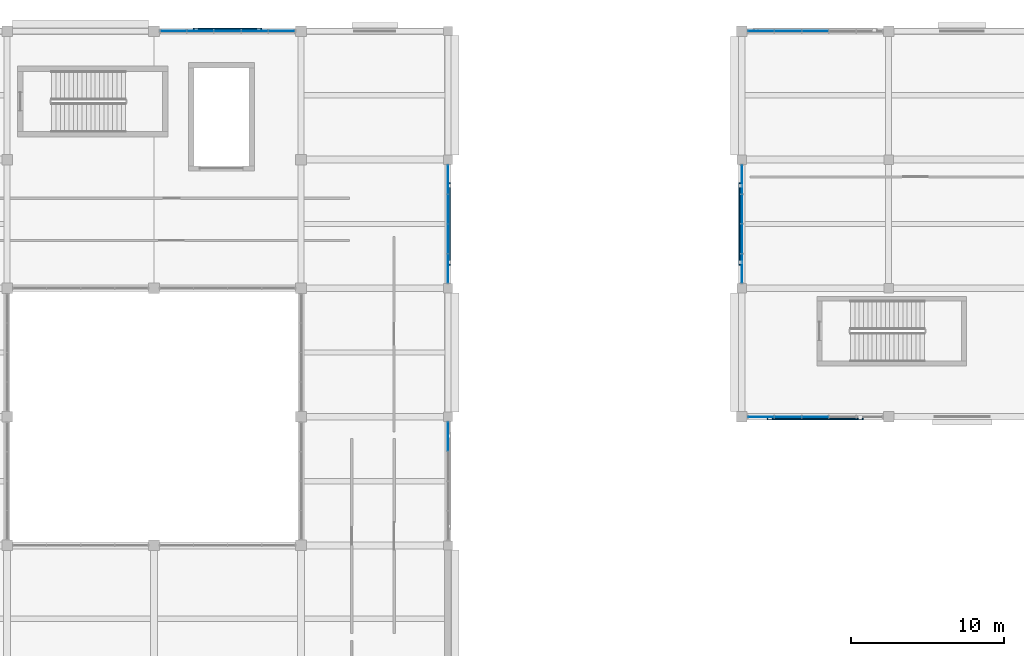
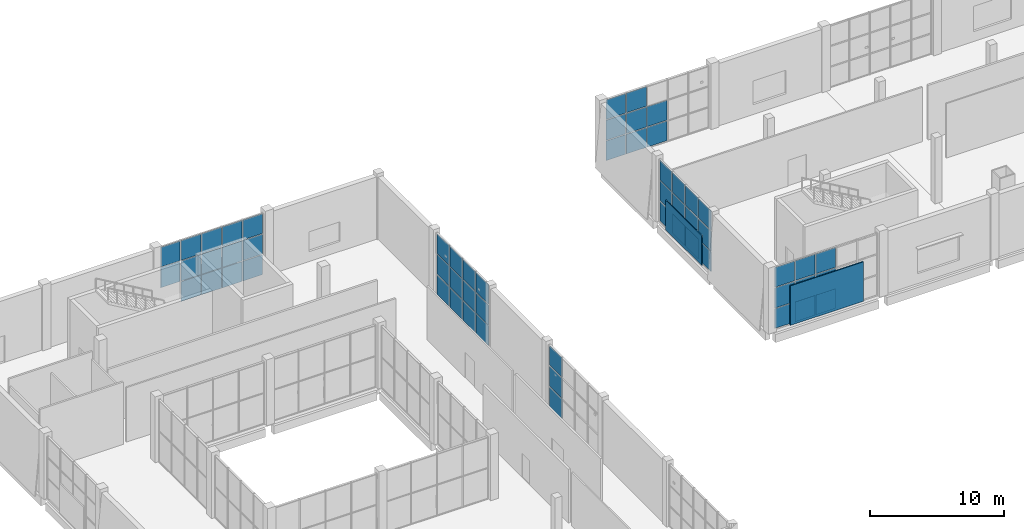
# One storey, part 48 of 84: 62 plates, 6 elements without a shape of their own.
"""IFC4 building model written with IfcOpenShell, lengths in metres."""

from ifc_helpers import new_model, si_unit, direction, frame, origin, origin_2d, place, context, subcontext, project, spatial, rectangle, extrude, material, layer, layer_set, type_object, element, aggregate, save


model = new_model("IFC4")

# Units and contexts
model_context = context("Model", 3, precision=1e-05, world=origin(), true_north=direction((0.0, 1.0)))
body_context = subcontext(model_context, "Body", "Model", "MODEL_VIEW")
ifc_project = project(units=[si_unit("LENGTHUNIT", "METRE"), si_unit("AREAUNIT", "SQUARE_METRE"), si_unit("VOLUMEUNIT", "CUBIC_METRE"), si_unit("PLANEANGLEUNIT", "RADIAN"), si_unit("MASSUNIT", "GRAM", prefix="KILO")], contexts=[model_context])

# Site, building, storey
site_placement = place(None, origin())
site = spatial("IfcSite", under=ifc_project, at=site_placement, CompositionType="ELEMENT")
building_placement = place(site_placement, origin())
building = spatial("IfcBuilding", under=site, at=building_placement, Name="Shalvenor Court Art Gallery", CompositionType="ELEMENT")
storey_placement = place(building_placement, origin())
storey = spatial("IfcBuildingStorey", under=building, at=storey_placement, Name="L00", CompositionType="ELEMENT", Elevation=0.0)

# Curtain wall, plates
ifc_material_1 = material(Name="Anodised aluminium and low-iron glass curtain wall", Category="aluminium")
curtain_wall_type_1 = type_object("IfcCurtainWallType", Name="CW-5x3-89-57-411", PredefinedType="USERDEFINED", material=ifc_material_1)
curtain_wall_1_placement = place(storey_placement, origin())
curtain_wall_1 = element("IfcCurtainWall", 1, at=curtain_wall_1_placement, inside=storey, type_object=curtain_wall_type_1, Name="L00 V5 Curtain Wall CW-L00-150", ObjectType="CURTAIN WALL", PredefinedType="USERDEFINED")
ifc_material_2 = material(Name="Low-iron UV-laminated double glazing IGU", Category="glass")
ifc_layer_1 = layer(ifc_material_2, 0.028076171875, Name="Low-iron UV-laminated double glazing IGU")
ifc_layer_set_1 = layer_set([ifc_layer_1], Name="Low-iron UV-laminated double glazing IGU")
plate_type_1 = type_object("IfcPlateType", Name="CWP-01", PredefinedType="CURTAIN_PANEL", material=ifc_layer_set_1)
plate_1_placement = place(storey_placement, frame((20.458740234375, 122.39990234375, 1.92333984375), z_axis=(0.0, 0.0, 1.0), x_axis=(1.0, 0.0, 0.0)))
plate_1 = element("IfcPlate", 2, at=plate_1_placement, type_object=plate_type_1, Name="CW-5x3-89-57-411 panel 1.2", PredefinedType="CURTAIN_PANEL", context=body_context, shape_type="SweptSolid", body=[
    extrude(rectangle(XDim=1.66748046875, YDim=0.028076171875, at=origin_2d()), origin(), (0.0, 0.0, 1.0), 1.833251953125),
])
plate_2_placement = place(storey_placement, frame((20.458740234375, 122.39990234375, 3.816650390625), z_axis=(0.0, 0.0, 1.0), x_axis=(1.0, 0.0, 0.0)))
plate_2 = element("IfcPlate", 3, at=plate_2_placement, type_object=plate_type_1, Name="CW-5x3-89-57-411 panel 1.3", PredefinedType="CURTAIN_PANEL", context=body_context, shape_type="SweptSolid", body=[
    extrude(rectangle(XDim=1.66748046875, YDim=0.028076171875, at=origin_2d()), origin(), (0.0, 0.0, 1.0), 1.80322265625),
])
plate_3_placement = place(storey_placement, frame((22.219970703125, 122.39990234375, 0.06005859375), z_axis=(0.0, 0.0, 1.0), x_axis=(1.0, 0.0, 0.0)))
plate_3 = element("IfcPlate", 4, at=plate_3_placement, type_object=plate_type_1, Name="CW-5x3-89-57-411 panel 2.1", PredefinedType="CURTAIN_PANEL", context=body_context, shape_type="SweptSolid", body=[
    extrude(rectangle(XDim=1.705078125, YDim=0.028076171875, at=origin_2d()), origin(), (0.0, 0.0, 1.0), 1.80322265625),
])
plate_4_placement = place(storey_placement, frame((22.219970703125, 122.39990234375, 1.92333984375), z_axis=(0.0, 0.0, 1.0), x_axis=(1.0, 0.0, 0.0)))
plate_4 = element("IfcPlate", 5, at=plate_4_placement, type_object=plate_type_1, Name="CW-5x3-89-57-411 panel 2.2", PredefinedType="CURTAIN_PANEL", context=body_context, shape_type="SweptSolid", body=[
    extrude(rectangle(XDim=1.705078125, YDim=0.028076171875, at=origin_2d()), origin(), (0.0, 0.0, 1.0), 1.833251953125),
])
plate_5_placement = place(storey_placement, frame((22.219970703125, 122.39990234375, 3.816650390625), z_axis=(0.0, 0.0, 1.0), x_axis=(1.0, 0.0, 0.0)))
plate_5 = element("IfcPlate", 6, at=plate_5_placement, type_object=plate_type_1, Name="CW-5x3-89-57-411 panel 2.3", PredefinedType="CURTAIN_PANEL", context=body_context, shape_type="SweptSolid", body=[
    extrude(rectangle(XDim=1.705078125, YDim=0.028076171875, at=origin_2d()), origin(), (0.0, 0.0, 1.0), 1.80322265625),
])
plate_6_placement = place(storey_placement, frame((24.0, 122.39990234375, 0.06005859375), z_axis=(0.0, 0.0, 1.0), x_axis=(1.0, 0.0, 0.0)))
plate_6 = element("IfcPlate", 7, at=plate_6_placement, type_object=plate_type_1, Name="CW-5x3-89-57-411 panel 3.1", PredefinedType="CURTAIN_PANEL", context=body_context, shape_type="SweptSolid", body=[
    extrude(rectangle(XDim=1.705078125, YDim=0.028076171875, at=origin_2d()), origin(), (0.0, 0.0, 1.0), 1.80322265625),
])
plate_7_placement = place(storey_placement, frame((24.0, 122.39990234375, 1.92333984375), z_axis=(0.0, 0.0, 1.0), x_axis=(1.0, 0.0, 0.0)))
plate_7 = element("IfcPlate", 8, at=plate_7_placement, type_object=plate_type_1, Name="CW-5x3-89-57-411 panel 3.2", PredefinedType="CURTAIN_PANEL", context=body_context, shape_type="SweptSolid", body=[
    extrude(rectangle(XDim=1.705078125, YDim=0.028076171875, at=origin_2d()), origin(), (0.0, 0.0, 1.0), 1.833251953125),
])
plate_8_placement = place(storey_placement, frame((24.0, 122.39990234375, 3.816650390625), z_axis=(0.0, 0.0, 1.0), x_axis=(1.0, 0.0, 0.0)))
plate_8 = element("IfcPlate", 9, at=plate_8_placement, type_object=plate_type_1, Name="CW-5x3-89-57-411 panel 3.3", PredefinedType="CURTAIN_PANEL", context=body_context, shape_type="SweptSolid", body=[
    extrude(rectangle(XDim=1.705078125, YDim=0.028076171875, at=origin_2d()), origin(), (0.0, 0.0, 1.0), 1.80322265625),
])
plate_9_placement = place(storey_placement, frame((25.780029296875, 122.39990234375, 0.06005859375), z_axis=(0.0, 0.0, 1.0), x_axis=(1.0, 0.0, 0.0)))
plate_9 = element("IfcPlate", 10, at=plate_9_placement, type_object=plate_type_1, Name="CW-5x3-89-57-411 panel 4.1", PredefinedType="CURTAIN_PANEL", context=body_context, shape_type="SweptSolid", body=[
    extrude(rectangle(XDim=1.705078125, YDim=0.028076171875, at=origin_2d()), origin(), (0.0, 0.0, 1.0), 1.80322265625),
])
plate_10_placement = place(storey_placement, frame((25.780029296875, 122.39990234375, 1.92333984375), z_axis=(0.0, 0.0, 1.0), x_axis=(1.0, 0.0, 0.0)))
plate_10 = element("IfcPlate", 11, at=plate_10_placement, type_object=plate_type_1, Name="CW-5x3-89-57-411 panel 4.2", PredefinedType="CURTAIN_PANEL", context=body_context, shape_type="SweptSolid", body=[
    extrude(rectangle(XDim=1.705078125, YDim=0.028076171875, at=origin_2d()), origin(), (0.0, 0.0, 1.0), 1.833251953125),
])
plate_11_placement = place(storey_placement, frame((25.780029296875, 122.39990234375, 3.816650390625), z_axis=(0.0, 0.0, 1.0), x_axis=(1.0, 0.0, 0.0)))
plate_11 = element("IfcPlate", 12, at=plate_11_placement, type_object=plate_type_1, Name="CW-5x3-89-57-411 panel 4.3", PredefinedType="CURTAIN_PANEL", context=body_context, shape_type="SweptSolid", body=[
    extrude(rectangle(XDim=1.705078125, YDim=0.028076171875, at=origin_2d()), origin(), (0.0, 0.0, 1.0), 1.80322265625),
])
plate_12_placement = place(storey_placement, frame((27.541259765625, 122.39990234375, 0.06005859375), z_axis=(0.0, 0.0, 1.0), x_axis=(1.0, 0.0, 0.0)))
plate_12 = element("IfcPlate", 13, at=plate_12_placement, type_object=plate_type_1, Name="CW-5x3-89-57-411 panel 5.1", PredefinedType="CURTAIN_PANEL", context=body_context, shape_type="SweptSolid", body=[
    extrude(rectangle(XDim=1.66748046875, YDim=0.028076171875, at=origin_2d()), origin(), (0.0, 0.0, 1.0), 1.80322265625),
])
plate_13_placement = place(storey_placement, frame((27.541259765625, 122.39990234375, 1.92333984375), z_axis=(0.0, 0.0, 1.0), x_axis=(1.0, 0.0, 0.0)))
plate_13 = element("IfcPlate", 14, at=plate_13_placement, type_object=plate_type_1, Name="CW-5x3-89-57-411 panel 5.2", PredefinedType="CURTAIN_PANEL", context=body_context, shape_type="SweptSolid", body=[
    extrude(rectangle(XDim=1.66748046875, YDim=0.028076171875, at=origin_2d()), origin(), (0.0, 0.0, 1.0), 1.833251953125),
])
plate_14_placement = place(storey_placement, frame((27.541259765625, 122.39990234375, 3.816650390625), z_axis=(0.0, 0.0, 1.0), x_axis=(1.0, 0.0, 0.0)))
plate_14 = element("IfcPlate", 15, at=plate_14_placement, type_object=plate_type_1, Name="CW-5x3-89-57-411 panel 5.3", PredefinedType="CURTAIN_PANEL", context=body_context, shape_type="SweptSolid", body=[
    extrude(rectangle(XDim=1.66748046875, YDim=0.028076171875, at=origin_2d()), origin(), (0.0, 0.0, 1.0), 1.80322265625),
])
aggregate(curtain_wall_1, [plate_1, plate_2, plate_3, plate_4, plate_5, plate_6, plate_7, plate_8, plate_9, plate_10, plate_11, plate_12, plate_13, plate_14])

ifc_material_3 = material(Name="Anodised aluminium and low-iron glass curtain wall", Category="aluminium")
curtain_wall_type_2 = type_object("IfcCurtainWallType", Name="CW-4x3-78-57-621", PredefinedType="USERDEFINED", material=ifc_material_3)
curtain_wall_2_placement = place(storey_placement, origin())
curtain_wall_2 = element("IfcCurtainWall", 16, at=curtain_wall_2_placement, inside=storey, type_object=curtain_wall_type_2, Name="L00 V5 Curtain Wall CW-L00-151", ObjectType="CURTAIN WALL", PredefinedType="USERDEFINED")
plate_15_placement = place(storey_placement, frame((38.39990234375, 112.711181640625, 0.06494140625), z_axis=(0.0, 0.0, 1.0), x_axis=(0.0, -1.0, 0.0)))
plate_15 = element("IfcPlate", 17, at=plate_15_placement, type_object=plate_type_1, Name="CW-4x3-78-57-621 panel 1.1", PredefinedType="CURTAIN_PANEL", context=body_context, shape_type="SweptSolid", body=[
    extrude(rectangle(XDim=1.867431640625, YDim=0.028076171875, at=origin_2d()), origin(), (0.0, 0.0, 1.0), 1.7958984375),
])
plate_16_placement = place(storey_placement, frame((38.39990234375, 112.711181640625, 1.92578125), z_axis=(0.0, 0.0, 1.0), x_axis=(0.0, -1.0, 0.0)))
plate_16 = element("IfcPlate", 18, at=plate_16_placement, type_object=plate_type_1, Name="CW-4x3-78-57-621 panel 1.2", PredefinedType="CURTAIN_PANEL", context=body_context, shape_type="SweptSolid", body=[
    extrude(rectangle(XDim=1.867431640625, YDim=0.028076171875, at=origin_2d()), origin(), (0.0, 0.0, 1.0), 1.828369140625),
])
plate_17_placement = place(storey_placement, frame((38.39990234375, 112.711181640625, 3.819091796875), z_axis=(0.0, 0.0, 1.0), x_axis=(0.0, -1.0, 0.0)))
plate_17 = element("IfcPlate", 19, at=plate_17_placement, type_object=plate_type_1, Name="CW-4x3-78-57-621 panel 1.3", PredefinedType="CURTAIN_PANEL", context=body_context, shape_type="SweptSolid", body=[
    extrude(rectangle(XDim=1.867431640625, YDim=0.028076171875, at=origin_2d()), origin(), (0.0, 0.0, 1.0), 1.7958984375),
])
plate_18_placement = place(storey_placement, frame((38.39990234375, 110.77490234375, 0.06494140625), z_axis=(0.0, 0.0, 1.0), x_axis=(0.0, -1.0, 0.0)))
plate_18 = element("IfcPlate", 20, at=plate_18_placement, type_object=plate_type_1, Name="CW-4x3-78-57-621 panel 2.1", PredefinedType="CURTAIN_PANEL", context=body_context, shape_type="SweptSolid", body=[
    extrude(rectangle(XDim=1.89501953125, YDim=0.028076171875, at=origin_2d()), origin(), (0.0, 0.0, 1.0), 1.7958984375),
])
plate_19_placement = place(storey_placement, frame((38.39990234375, 110.77490234375, 1.92578125), z_axis=(0.0, 0.0, 1.0), x_axis=(0.0, -1.0, 0.0)))
plate_19 = element("IfcPlate", 21, at=plate_19_placement, type_object=plate_type_1, Name="CW-4x3-78-57-621 panel 2.2", PredefinedType="CURTAIN_PANEL", context=body_context, shape_type="SweptSolid", body=[
    extrude(rectangle(XDim=1.89501953125, YDim=0.028076171875, at=origin_2d()), origin(), (0.0, 0.0, 1.0), 1.828369140625),
])
plate_20_placement = place(storey_placement, frame((38.39990234375, 110.77490234375, 3.819091796875), z_axis=(0.0, 0.0, 1.0), x_axis=(0.0, -1.0, 0.0)))
plate_20 = element("IfcPlate", 22, at=plate_20_placement, type_object=plate_type_1, Name="CW-4x3-78-57-621 panel 2.3", PredefinedType="CURTAIN_PANEL", context=body_context, shape_type="SweptSolid", body=[
    extrude(rectangle(XDim=1.89501953125, YDim=0.028076171875, at=origin_2d()), origin(), (0.0, 0.0, 1.0), 1.7958984375),
])
plate_21_placement = place(storey_placement, frame((38.39990234375, 108.824951171875, 0.06494140625), z_axis=(0.0, 0.0, 1.0), x_axis=(0.0, -1.0, 0.0)))
plate_21 = element("IfcPlate", 23, at=plate_21_placement, type_object=plate_type_1, Name="CW-4x3-78-57-621 panel 3.1", PredefinedType="CURTAIN_PANEL", context=body_context, shape_type="SweptSolid", body=[
    extrude(rectangle(XDim=1.89501953125, YDim=0.028076171875, at=origin_2d()), origin(), (0.0, 0.0, 1.0), 1.7958984375),
])
plate_22_placement = place(storey_placement, frame((38.39990234375, 108.824951171875, 1.92578125), z_axis=(0.0, 0.0, 1.0), x_axis=(0.0, -1.0, 0.0)))
plate_22 = element("IfcPlate", 24, at=plate_22_placement, type_object=plate_type_1, Name="CW-4x3-78-57-621 panel 3.2", PredefinedType="CURTAIN_PANEL", context=body_context, shape_type="SweptSolid", body=[
    extrude(rectangle(XDim=1.89501953125, YDim=0.028076171875, at=origin_2d()), origin(), (0.0, 0.0, 1.0), 1.828369140625),
])
plate_23_placement = place(storey_placement, frame((38.39990234375, 108.824951171875, 3.819091796875), z_axis=(0.0, 0.0, 1.0), x_axis=(0.0, -1.0, 0.0)))
plate_23 = element("IfcPlate", 25, at=plate_23_placement, type_object=plate_type_1, Name="CW-4x3-78-57-621 panel 3.3", PredefinedType="CURTAIN_PANEL", context=body_context, shape_type="SweptSolid", body=[
    extrude(rectangle(XDim=1.89501953125, YDim=0.028076171875, at=origin_2d()), origin(), (0.0, 0.0, 1.0), 1.7958984375),
])
plate_24_placement = place(storey_placement, frame((38.39990234375, 106.888671875, 0.06494140625), z_axis=(0.0, 0.0, 1.0), x_axis=(0.0, -1.0, 0.0)))
plate_24 = element("IfcPlate", 26, at=plate_24_placement, type_object=plate_type_1, Name="CW-4x3-78-57-621 panel 4.1", PredefinedType="CURTAIN_PANEL", context=body_context, shape_type="SweptSolid", body=[
    extrude(rectangle(XDim=1.867431640625, YDim=0.028076171875, at=origin_2d()), origin(), (0.0, 0.0, 1.0), 1.7958984375),
])
plate_25_placement = place(storey_placement, frame((38.39990234375, 106.888671875, 1.92578125), z_axis=(0.0, 0.0, 1.0), x_axis=(0.0, -1.0, 0.0)))
plate_25 = element("IfcPlate", 27, at=plate_25_placement, type_object=plate_type_1, Name="CW-4x3-78-57-621 panel 4.2", PredefinedType="CURTAIN_PANEL", context=body_context, shape_type="SweptSolid", body=[
    extrude(rectangle(XDim=1.867431640625, YDim=0.028076171875, at=origin_2d()), origin(), (0.0, 0.0, 1.0), 1.828369140625),
])
plate_26_placement = place(storey_placement, frame((38.39990234375, 106.888671875, 3.819091796875), z_axis=(0.0, 0.0, 1.0), x_axis=(0.0, -1.0, 0.0)))
plate_26 = element("IfcPlate", 28, at=plate_26_placement, type_object=plate_type_1, Name="CW-4x3-78-57-621 panel 4.3", PredefinedType="CURTAIN_PANEL", context=body_context, shape_type="SweptSolid", body=[
    extrude(rectangle(XDim=1.867431640625, YDim=0.028076171875, at=origin_2d()), origin(), (0.0, 0.0, 1.0), 1.7958984375),
])
aggregate(curtain_wall_2, [plate_15, plate_16, plate_17, plate_18, plate_19, plate_20, plate_21, plate_22, plate_23, plate_24, plate_25, plate_26])

ifc_material_4 = material(Name="Anodised aluminium and low-iron glass curtain wall", Category="aluminium")
curtain_wall_type_3 = type_object("IfcCurtainWallType", Name="CW-4x3-78-57-141", PredefinedType="USERDEFINED", material=ifc_material_4)
curtain_wall_3_placement = place(storey_placement, origin())
curtain_wall_3 = element("IfcCurtainWall", 29, at=curtain_wall_3_placement, inside=storey, type_object=curtain_wall_type_3, Name="L00 V5 Curtain Wall CW-L00-152", ObjectType="CURTAIN WALL", PredefinedType="USERDEFINED")
plate_27_placement = place(storey_placement, frame((38.39990234375, 95.90869140625, 0.06982421875), z_axis=(0.0, 0.0, 1.0), x_axis=(0.0, -1.0, 0.0)))
plate_27 = element("IfcPlate", 30, at=plate_27_placement, type_object=plate_type_1, Name="CW-4x3-78-57-141 panel 1.1", PredefinedType="CURTAIN_PANEL", context=body_context, shape_type="SweptSolid", body=[
    extrude(rectangle(XDim=1.8525390625, YDim=0.028076171875, at=origin_2d()), origin(), (0.0, 0.0, 1.0), 1.788330078125),
])
plate_28_placement = place(storey_placement, frame((38.39990234375, 95.90869140625, 1.928466796875), z_axis=(0.0, 0.0, 1.0), x_axis=(0.0, -1.0, 0.0)))
plate_28 = element("IfcPlate", 31, at=plate_28_placement, type_object=plate_type_1, Name="CW-4x3-78-57-141 panel 1.2", PredefinedType="CURTAIN_PANEL", context=body_context, shape_type="SweptSolid", body=[
    extrude(rectangle(XDim=1.8525390625, YDim=0.028076171875, at=origin_2d()), origin(), (0.0, 0.0, 1.0), 1.8232421875),
])
plate_29_placement = place(storey_placement, frame((38.39990234375, 95.90869140625, 3.82177734375), z_axis=(0.0, 0.0, 1.0), x_axis=(0.0, -1.0, 0.0)))
plate_29 = element("IfcPlate", 32, at=plate_29_placement, type_object=plate_type_1, Name="CW-4x3-78-57-141 panel 1.3", PredefinedType="CURTAIN_PANEL", context=body_context, shape_type="SweptSolid", body=[
    extrude(rectangle(XDim=1.8525390625, YDim=0.028076171875, at=origin_2d()), origin(), (0.0, 0.0, 1.0), 1.788330078125),
])
aggregate(curtain_wall_3, [plate_27, plate_28, plate_29])

ifc_material_5 = material(Name="Anodised aluminium and low-iron glass curtain wall", Category="aluminium")
curtain_wall_type_4 = type_object("IfcCurtainWallType", Name="CW-5x3-89-57-242", PredefinedType="USERDEFINED", material=ifc_material_5)
curtain_wall_4_placement = place(storey_placement, origin())
curtain_wall_4 = element("IfcCurtainWall", 33, at=curtain_wall_4_placement, inside=storey, type_object=curtain_wall_type_4, Name="L00 V2 Curtain Wall CW-L00-053", ObjectType="CURTAIN WALL", PredefinedType="USERDEFINED")
ifc_material_6 = material(Name="Low-iron triple-silver solar gallery glazing IGU", Category="glass")
ifc_layer_2 = layer(ifc_material_6, 0.031982421875, Name="Low-iron triple-silver solar gallery glazing IGU")
ifc_layer_set_2 = layer_set([ifc_layer_2], Name="Low-iron triple-silver solar gallery glazing IGU")
plate_type_2 = type_object("IfcPlateType", Name="CWP-02", PredefinedType="CURTAIN_PANEL", material=ifc_layer_set_2)
plate_30_placement = place(storey_placement, frame((58.857421875, 122.39990234375, 0.06982421875), z_axis=(0.0, 0.0, 1.0), x_axis=(1.0, 0.0, 0.0)))
plate_30 = element("IfcPlate", 34, at=plate_30_placement, type_object=plate_type_2, Name="CW-5x3-89-57-242 panel 1.1", PredefinedType="CURTAIN_PANEL", context=body_context, shape_type="SweptSolid", body=[
    extrude(rectangle(XDim=1.675048828125, YDim=0.031982421875, at=origin_2d()), origin(), (0.0, 0.0, 1.0), 1.788330078125),
])
plate_31_placement = place(storey_placement, frame((58.857421875, 122.39990234375, 1.928466796875), z_axis=(0.0, 0.0, 1.0), x_axis=(1.0, 0.0, 0.0)))
plate_31 = element("IfcPlate", 35, at=plate_31_placement, type_object=plate_type_2, Name="CW-5x3-89-57-242 panel 1.2", PredefinedType="CURTAIN_PANEL", context=body_context, shape_type="SweptSolid", body=[
    extrude(rectangle(XDim=1.675048828125, YDim=0.031982421875, at=origin_2d()), origin(), (0.0, 0.0, 1.0), 1.8232421875),
])
plate_32_placement = place(storey_placement, frame((58.857421875, 122.39990234375, 3.82177734375), z_axis=(0.0, 0.0, 1.0), x_axis=(1.0, 0.0, 0.0)))
plate_32 = element("IfcPlate", 36, at=plate_32_placement, type_object=plate_type_2, Name="CW-5x3-89-57-242 panel 1.3", PredefinedType="CURTAIN_PANEL", context=body_context, shape_type="SweptSolid", body=[
    extrude(rectangle(XDim=1.675048828125, YDim=0.031982421875, at=origin_2d()), origin(), (0.0, 0.0, 1.0), 1.788330078125),
])
plate_33_placement = place(storey_placement, frame((60.6201171875, 122.39990234375, 0.06982421875), z_axis=(0.0, 0.0, 1.0), x_axis=(1.0, 0.0, 0.0)))
plate_33 = element("IfcPlate", 37, at=plate_33_placement, type_object=plate_type_2, Name="CW-5x3-89-57-242 panel 2.1", PredefinedType="CURTAIN_PANEL", context=body_context, shape_type="SweptSolid", body=[
    extrude(rectangle(XDim=1.7099609375, YDim=0.031982421875, at=origin_2d()), origin(), (0.0, 0.0, 1.0), 1.788330078125),
])
plate_34_placement = place(storey_placement, frame((60.6201171875, 122.39990234375, 1.928466796875), z_axis=(0.0, 0.0, 1.0), x_axis=(1.0, 0.0, 0.0)))
plate_34 = element("IfcPlate", 38, at=plate_34_placement, type_object=plate_type_2, Name="CW-5x3-89-57-242 panel 2.2", PredefinedType="CURTAIN_PANEL", context=body_context, shape_type="SweptSolid", body=[
    extrude(rectangle(XDim=1.7099609375, YDim=0.031982421875, at=origin_2d()), origin(), (0.0, 0.0, 1.0), 1.8232421875),
])
plate_35_placement = place(storey_placement, frame((60.6201171875, 122.39990234375, 3.82177734375), z_axis=(0.0, 0.0, 1.0), x_axis=(1.0, 0.0, 0.0)))
plate_35 = element("IfcPlate", 39, at=plate_35_placement, type_object=plate_type_2, Name="CW-5x3-89-57-242 panel 2.3", PredefinedType="CURTAIN_PANEL", context=body_context, shape_type="SweptSolid", body=[
    extrude(rectangle(XDim=1.7099609375, YDim=0.031982421875, at=origin_2d()), origin(), (0.0, 0.0, 1.0), 1.788330078125),
])
plate_36_placement = place(storey_placement, frame((62.39990234375, 122.39990234375, 0.06982421875), z_axis=(0.0, 0.0, 1.0), x_axis=(1.0, 0.0, 0.0)))
plate_36 = element("IfcPlate", 40, at=plate_36_placement, type_object=plate_type_2, Name="CW-5x3-89-57-242 panel 3.1", PredefinedType="CURTAIN_PANEL", context=body_context, shape_type="SweptSolid", body=[
    extrude(rectangle(XDim=1.7099609375, YDim=0.031982421875, at=origin_2d()), origin(), (0.0, 0.0, 1.0), 1.788330078125),
])
plate_37_placement = place(storey_placement, frame((62.39990234375, 122.39990234375, 1.928466796875), z_axis=(0.0, 0.0, 1.0), x_axis=(1.0, 0.0, 0.0)))
plate_37 = element("IfcPlate", 41, at=plate_37_placement, type_object=plate_type_2, Name="CW-5x3-89-57-242 panel 3.2", PredefinedType="CURTAIN_PANEL", context=body_context, shape_type="SweptSolid", body=[
    extrude(rectangle(XDim=1.7099609375, YDim=0.031982421875, at=origin_2d()), origin(), (0.0, 0.0, 1.0), 1.8232421875),
])
aggregate(curtain_wall_4, [plate_30, plate_31, plate_32, plate_33, plate_34, plate_35, plate_36, plate_37])

ifc_material_7 = material(Name="Anodised aluminium and low-iron glass curtain wall", Category="aluminium")
curtain_wall_type_5 = type_object("IfcCurtainWallType", Name="CW-5x3-89-57-112", PredefinedType="USERDEFINED", material=ifc_material_7)
curtain_wall_5_placement = place(storey_placement, origin())
curtain_wall_5 = element("IfcCurtainWall", 42, at=curtain_wall_5_placement, inside=storey, type_object=curtain_wall_type_5, Name="L00 V2 Curtain Wall CW-L00-060", ObjectType="CURTAIN WALL", PredefinedType="USERDEFINED")
plate_38_placement = place(storey_placement, frame((62.39990234375, 97.199951171875, 0.06005859375), z_axis=(0.0, 0.0, 1.0), x_axis=(-1.0, 0.0, 0.0)))
plate_38 = element("IfcPlate", 43, at=plate_38_placement, type_object=plate_type_2, Name="CW-5x3-89-57-112 panel 3.1", PredefinedType="CURTAIN_PANEL", context=body_context, shape_type="SweptSolid", body=[
    extrude(rectangle(XDim=1.715087890625, YDim=0.031982421875, at=origin_2d()), origin(), (0.0, 0.0, 1.0), 1.80322265625),
])
plate_39_placement = place(storey_placement, frame((62.39990234375, 97.199951171875, 1.92333984375), z_axis=(0.0, 0.0, 1.0), x_axis=(-1.0, 0.0, 0.0)))
plate_39 = element("IfcPlate", 44, at=plate_39_placement, type_object=plate_type_2, Name="CW-5x3-89-57-112 panel 3.2", PredefinedType="CURTAIN_PANEL", context=body_context, shape_type="SweptSolid", body=[
    extrude(rectangle(XDim=1.715087890625, YDim=0.031982421875, at=origin_2d()), origin(), (0.0, 0.0, 1.0), 1.833251953125),
])
plate_40_placement = place(storey_placement, frame((62.39990234375, 97.199951171875, 3.816650390625), z_axis=(0.0, 0.0, 1.0), x_axis=(-1.0, 0.0, 0.0)))
plate_40 = element("IfcPlate", 45, at=plate_40_placement, type_object=plate_type_2, Name="CW-5x3-89-57-112 panel 3.3", PredefinedType="CURTAIN_PANEL", context=body_context, shape_type="SweptSolid", body=[
    extrude(rectangle(XDim=1.715087890625, YDim=0.031982421875, at=origin_2d()), origin(), (0.0, 0.0, 1.0), 1.80322265625),
])
plate_41_placement = place(storey_placement, frame((60.6201171875, 97.199951171875, 0.06005859375), z_axis=(0.0, 0.0, 1.0), x_axis=(-1.0, 0.0, 0.0)))
plate_41 = element("IfcPlate", 46, at=plate_41_placement, type_object=plate_type_2, Name="CW-5x3-89-57-112 panel 4.1", PredefinedType="CURTAIN_PANEL", context=body_context, shape_type="SweptSolid", body=[
    extrude(rectangle(XDim=1.715087890625, YDim=0.031982421875, at=origin_2d()), origin(), (0.0, 0.0, 1.0), 1.80322265625),
])
plate_42_placement = place(storey_placement, frame((60.6201171875, 97.199951171875, 1.92333984375), z_axis=(0.0, 0.0, 1.0), x_axis=(-1.0, 0.0, 0.0)))
plate_42 = element("IfcPlate", 47, at=plate_42_placement, type_object=plate_type_2, Name="CW-5x3-89-57-112 panel 4.2", PredefinedType="CURTAIN_PANEL", context=body_context, shape_type="SweptSolid", body=[
    extrude(rectangle(XDim=1.715087890625, YDim=0.031982421875, at=origin_2d()), origin(), (0.0, 0.0, 1.0), 1.833251953125),
])
plate_43_placement = place(storey_placement, frame((60.6201171875, 97.199951171875, 3.816650390625), z_axis=(0.0, 0.0, 1.0), x_axis=(-1.0, 0.0, 0.0)))
plate_43 = element("IfcPlate", 48, at=plate_43_placement, type_object=plate_type_2, Name="CW-5x3-89-57-112 panel 4.3", PredefinedType="CURTAIN_PANEL", context=body_context, shape_type="SweptSolid", body=[
    extrude(rectangle(XDim=1.715087890625, YDim=0.031982421875, at=origin_2d()), origin(), (0.0, 0.0, 1.0), 1.80322265625),
])
plate_44_placement = place(storey_placement, frame((58.856201171875, 97.199951171875, 0.06005859375), z_axis=(0.0, 0.0, 1.0), x_axis=(-1.0, 0.0, 0.0)))
plate_44 = element("IfcPlate", 49, at=plate_44_placement, type_object=plate_type_2, Name="CW-5x3-89-57-112 panel 5.1", PredefinedType="CURTAIN_PANEL", context=body_context, shape_type="SweptSolid", body=[
    extrude(rectangle(XDim=1.6826171875, YDim=0.031982421875, at=origin_2d()), origin(), (0.0, 0.0, 1.0), 1.80322265625),
])
plate_45_placement = place(storey_placement, frame((58.856201171875, 97.199951171875, 1.92333984375), z_axis=(0.0, 0.0, 1.0), x_axis=(-1.0, 0.0, 0.0)))
plate_45 = element("IfcPlate", 50, at=plate_45_placement, type_object=plate_type_2, Name="CW-5x3-89-57-112 panel 5.2", PredefinedType="CURTAIN_PANEL", context=body_context, shape_type="SweptSolid", body=[
    extrude(rectangle(XDim=1.6826171875, YDim=0.031982421875, at=origin_2d()), origin(), (0.0, 0.0, 1.0), 1.833251953125),
])
plate_46_placement = place(storey_placement, frame((58.856201171875, 97.199951171875, 3.816650390625), z_axis=(0.0, 0.0, 1.0), x_axis=(-1.0, 0.0, 0.0)))
plate_46 = element("IfcPlate", 51, at=plate_46_placement, type_object=plate_type_2, Name="CW-5x3-89-57-112 panel 5.3", PredefinedType="CURTAIN_PANEL", context=body_context, shape_type="SweptSolid", body=[
    extrude(rectangle(XDim=1.6826171875, YDim=0.031982421875, at=origin_2d()), origin(), (0.0, 0.0, 1.0), 1.80322265625),
])
aggregate(curtain_wall_5, [plate_38, plate_39, plate_40, plate_41, plate_42, plate_43, plate_44, plate_45, plate_46])

ifc_material_8 = material(Name="Anodised aluminium and low-iron glass curtain wall", Category="aluminium")
curtain_wall_type_6 = type_object("IfcCurtainWallType", Name="CW-4x3-78-57-222", PredefinedType="USERDEFINED", material=ifc_material_8)
curtain_wall_6_placement = place(storey_placement, origin())
curtain_wall_6 = element("IfcCurtainWall", 52, at=curtain_wall_6_placement, inside=storey, type_object=curtain_wall_type_6, Name="L00 V2 Curtain Wall CW-L00-061", ObjectType="CURTAIN WALL", PredefinedType="USERDEFINED")
plate_47_placement = place(storey_placement, frame((57.60009765625, 106.892578125, 0.06494140625), z_axis=(0.0, 0.0, 1.0), x_axis=(0.0, 1.0, 0.0)))
plate_47 = element("IfcPlate", 53, at=plate_47_placement, type_object=plate_type_2, Name="CW-4x3-78-57-222 panel 1.1", PredefinedType="CURTAIN_PANEL", context=body_context, shape_type="SweptSolid", body=[
    extrude(rectangle(XDim=1.844970703125, YDim=0.031982421875, at=origin_2d()), origin(), (0.0, 0.0, 1.0), 1.7958984375),
])
plate_48_placement = place(storey_placement, frame((57.60009765625, 106.892578125, 1.92578125), z_axis=(0.0, 0.0, 1.0), x_axis=(0.0, 1.0, 0.0)))
plate_48 = element("IfcPlate", 54, at=plate_48_placement, type_object=plate_type_2, Name="CW-4x3-78-57-222 panel 1.2", PredefinedType="CURTAIN_PANEL", context=body_context, shape_type="SweptSolid", body=[
    extrude(rectangle(XDim=1.844970703125, YDim=0.031982421875, at=origin_2d()), origin(), (0.0, 0.0, 1.0), 1.828369140625),
])
plate_49_placement = place(storey_placement, frame((57.60009765625, 106.892578125, 3.819091796875), z_axis=(0.0, 0.0, 1.0), x_axis=(0.0, 1.0, 0.0)))
plate_49 = element("IfcPlate", 55, at=plate_49_placement, type_object=plate_type_2, Name="CW-4x3-78-57-222 panel 1.3", PredefinedType="CURTAIN_PANEL", context=body_context, shape_type="SweptSolid", body=[
    extrude(rectangle(XDim=1.844970703125, YDim=0.031982421875, at=origin_2d()), origin(), (0.0, 0.0, 1.0), 1.7958984375),
])
plate_50_placement = place(storey_placement, frame((57.60009765625, 108.824951171875, 0.06494140625), z_axis=(0.0, 0.0, 1.0), x_axis=(0.0, 1.0, 0.0)))
plate_50 = element("IfcPlate", 56, at=plate_50_placement, type_object=plate_type_2, Name="CW-4x3-78-57-222 panel 2.1", PredefinedType="CURTAIN_PANEL", context=body_context, shape_type="SweptSolid", body=[
    extrude(rectangle(XDim=1.8798828125, YDim=0.031982421875, at=origin_2d()), origin(), (0.0, 0.0, 1.0), 1.7958984375),
])
plate_51_placement = place(storey_placement, frame((57.60009765625, 108.824951171875, 1.92578125), z_axis=(0.0, 0.0, 1.0), x_axis=(0.0, 1.0, 0.0)))
plate_51 = element("IfcPlate", 57, at=plate_51_placement, type_object=plate_type_2, Name="CW-4x3-78-57-222 panel 2.2", PredefinedType="CURTAIN_PANEL", context=body_context, shape_type="SweptSolid", body=[
    extrude(rectangle(XDim=1.8798828125, YDim=0.031982421875, at=origin_2d()), origin(), (0.0, 0.0, 1.0), 1.828369140625),
])
plate_52_placement = place(storey_placement, frame((57.60009765625, 108.824951171875, 3.819091796875), z_axis=(0.0, 0.0, 1.0), x_axis=(0.0, 1.0, 0.0)))
plate_52 = element("IfcPlate", 58, at=plate_52_placement, type_object=plate_type_2, Name="CW-4x3-78-57-222 panel 2.3", PredefinedType="CURTAIN_PANEL", context=body_context, shape_type="SweptSolid", body=[
    extrude(rectangle(XDim=1.8798828125, YDim=0.031982421875, at=origin_2d()), origin(), (0.0, 0.0, 1.0), 1.7958984375),
])
plate_53_placement = place(storey_placement, frame((57.60009765625, 110.77490234375, 0.06494140625), z_axis=(0.0, 0.0, 1.0), x_axis=(0.0, 1.0, 0.0)))
plate_53 = element("IfcPlate", 59, at=plate_53_placement, type_object=plate_type_2, Name="CW-4x3-78-57-222 panel 3.1", PredefinedType="CURTAIN_PANEL", context=body_context, shape_type="SweptSolid", body=[
    extrude(rectangle(XDim=1.8798828125, YDim=0.031982421875, at=origin_2d()), origin(), (0.0, 0.0, 1.0), 1.7958984375),
])
plate_54_placement = place(storey_placement, frame((57.60009765625, 110.77490234375, 1.92578125), z_axis=(0.0, 0.0, 1.0), x_axis=(0.0, 1.0, 0.0)))
plate_54 = element("IfcPlate", 60, at=plate_54_placement, type_object=plate_type_2, Name="CW-4x3-78-57-222 panel 3.2", PredefinedType="CURTAIN_PANEL", context=body_context, shape_type="SweptSolid", body=[
    extrude(rectangle(XDim=1.8798828125, YDim=0.031982421875, at=origin_2d()), origin(), (0.0, 0.0, 1.0), 1.828369140625),
])
plate_55_placement = place(storey_placement, frame((57.60009765625, 110.77490234375, 3.819091796875), z_axis=(0.0, 0.0, 1.0), x_axis=(0.0, 1.0, 0.0)))
plate_55 = element("IfcPlate", 61, at=plate_55_placement, type_object=plate_type_2, Name="CW-4x3-78-57-222 panel 3.3", PredefinedType="CURTAIN_PANEL", context=body_context, shape_type="SweptSolid", body=[
    extrude(rectangle(XDim=1.8798828125, YDim=0.031982421875, at=origin_2d()), origin(), (0.0, 0.0, 1.0), 1.7958984375),
])
plate_56_placement = place(storey_placement, frame((57.60009765625, 112.70751953125, 0.06494140625), z_axis=(0.0, 0.0, 1.0), x_axis=(0.0, 1.0, 0.0)))
plate_56 = element("IfcPlate", 62, at=plate_56_placement, type_object=plate_type_2, Name="CW-4x3-78-57-222 panel 4.1", PredefinedType="CURTAIN_PANEL", context=body_context, shape_type="SweptSolid", body=[
    extrude(rectangle(XDim=1.844970703125, YDim=0.031982421875, at=origin_2d()), origin(), (0.0, 0.0, 1.0), 1.7958984375),
])
plate_57_placement = place(storey_placement, frame((57.60009765625, 112.70751953125, 1.92578125), z_axis=(0.0, 0.0, 1.0), x_axis=(0.0, 1.0, 0.0)))
plate_57 = element("IfcPlate", 63, at=plate_57_placement, type_object=plate_type_2, Name="CW-4x3-78-57-222 panel 4.2", PredefinedType="CURTAIN_PANEL", context=body_context, shape_type="SweptSolid", body=[
    extrude(rectangle(XDim=1.844970703125, YDim=0.031982421875, at=origin_2d()), origin(), (0.0, 0.0, 1.0), 1.828369140625),
])
plate_58_placement = place(storey_placement, frame((57.60009765625, 112.70751953125, 3.819091796875), z_axis=(0.0, 0.0, 1.0), x_axis=(0.0, 1.0, 0.0)))
plate_58 = element("IfcPlate", 64, at=plate_58_placement, type_object=plate_type_2, Name="CW-4x3-78-57-222 panel 4.3", PredefinedType="CURTAIN_PANEL", context=body_context, shape_type="SweptSolid", body=[
    extrude(rectangle(XDim=1.844970703125, YDim=0.031982421875, at=origin_2d()), origin(), (0.0, 0.0, 1.0), 1.7958984375),
])
aggregate(curtain_wall_6, [plate_47, plate_48, plate_49, plate_50, plate_51, plate_52, plate_53, plate_54, plate_55, plate_56, plate_57, plate_58])

# Plates
ifc_material_9 = material(Name="Perforated pale limestone GRC lattice", Category="masonry")
ifc_layer_3 = layer(ifc_material_9, 0.090087890625, Name="Perforated pale limestone GRC lattice")
ifc_layer_set_3 = layer_set([ifc_layer_3], Name="Perforated pale limestone GRC lattice")
plate_type_3 = type_object("IfcPlateType", Name="SCR-04", PredefinedType="USERDEFINED", material=ifc_layer_set_3)
plate_59_placement = place(storey_placement, frame((38.512939453125, 109.800048828125, 0.0), z_axis=(0.0, 0.0, 1.0), x_axis=(0.0, -1.0, 0.0)))
element("IfcPlate", 65, at=plate_59_placement, inside=storey, type_object=plate_type_3, Name="L00 V5 Perforated Stone Lattice Screen PLT-SCR-0136", ObjectType="SCREEN", PredefinedType="USERDEFINED", context=body_context, shape_type="SweptSolid", body=[
    extrude(rectangle(XDim=5.39990234375, YDim=0.090087890625, at=origin_2d()), origin(), (0.0, 0.0, 1.0), 4.5),
])
ifc_material_10 = material(Name="Perforated pale limestone GRC lattice", Category="masonry")
ifc_layer_4 = layer(ifc_material_10, 0.090087890625, Name="Perforated pale limestone GRC lattice")
ifc_layer_set_4 = layer_set([ifc_layer_4], Name="Perforated pale limestone GRC lattice")
plate_type_4 = type_object("IfcPlateType", Name="SCR-05", PredefinedType="USERDEFINED", material=ifc_layer_set_4)
plate_60_placement = place(storey_placement, frame((62.39990234375, 97.06689453125, 0.0), z_axis=(0.0, 0.0, 1.0), x_axis=(-1.0, 0.0, 0.0)))
element("IfcPlate", 66, at=plate_60_placement, inside=storey, type_object=plate_type_4, Name="L00 V2 Perforated Stone Lattice Screen PLT-SCR-0047", ObjectType="SCREEN", PredefinedType="USERDEFINED", context=body_context, shape_type="SweptSolid", body=[
    extrude(rectangle(XDim=6.300048828125, YDim=0.090087890625, at=origin_2d()), origin(), (0.0, 0.0, 1.0), 3.60009765625),
])
ifc_material_11 = material(Name="Perforated pale limestone GRC lattice", Category="masonry")
ifc_layer_5 = layer(ifc_material_11, 0.090087890625, Name="Perforated pale limestone GRC lattice")
ifc_layer_set_5 = layer_set([ifc_layer_5], Name="Perforated pale limestone GRC lattice")
plate_type_5 = type_object("IfcPlateType", Name="SCR-09", PredefinedType="USERDEFINED", material=ifc_layer_set_5)
plate_61_placement = place(storey_placement, frame((24.0, 122.552978515625, 0.0), z_axis=(0.0, 0.0, 1.0), x_axis=(1.0, 0.0, 0.0)))
element("IfcPlate", 67, at=plate_61_placement, inside=storey, type_object=plate_type_5, Name="L00 V5 Perforated Stone Lattice Screen PLT-SCR-0135", ObjectType="SCREEN", PredefinedType="USERDEFINED", context=body_context, shape_type="SweptSolid", body=[
    extrude(rectangle(XDim=4.5, YDim=0.090087890625, at=origin_2d()), origin(), (0.0, 0.0, 1.0), 2.699951171875),
])
ifc_material_12 = material(Name="Perforated pale limestone GRC lattice", Category="masonry")
ifc_layer_6 = layer(ifc_material_12, 0.0849609375, Name="Perforated pale limestone GRC lattice")
ifc_layer_set_6 = layer_set([ifc_layer_6], Name="Perforated pale limestone GRC lattice")
plate_type_6 = type_object("IfcPlateType", Name="SCR-14", PredefinedType="USERDEFINED", material=ifc_layer_set_6)
plate_62_placement = place(storey_placement, frame((57.45947265625, 109.800048828125, 0.0), z_axis=(0.0, 0.0, 1.0), x_axis=(0.0, 1.0, 0.0)))
element("IfcPlate", 68, at=plate_62_placement, inside=storey, type_object=plate_type_6, Name="L00 V2 Perforated Stone Lattice Screen PLT-SCR-0048", ObjectType="SCREEN", PredefinedType="USERDEFINED", context=body_context, shape_type="SweptSolid", body=[
    extrude(rectangle(XDim=5.39990234375, YDim=0.0849609375, at=origin_2d()), origin(), (0.0, 0.0, 1.0), 2.699951171875),
])

save(model, "model.ifc")
